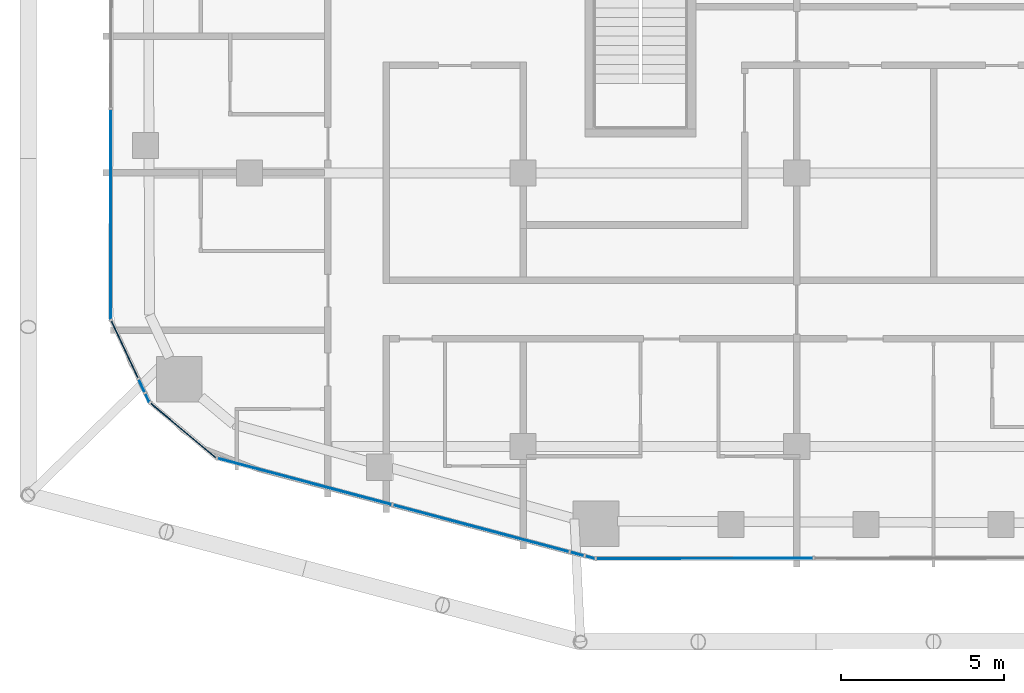
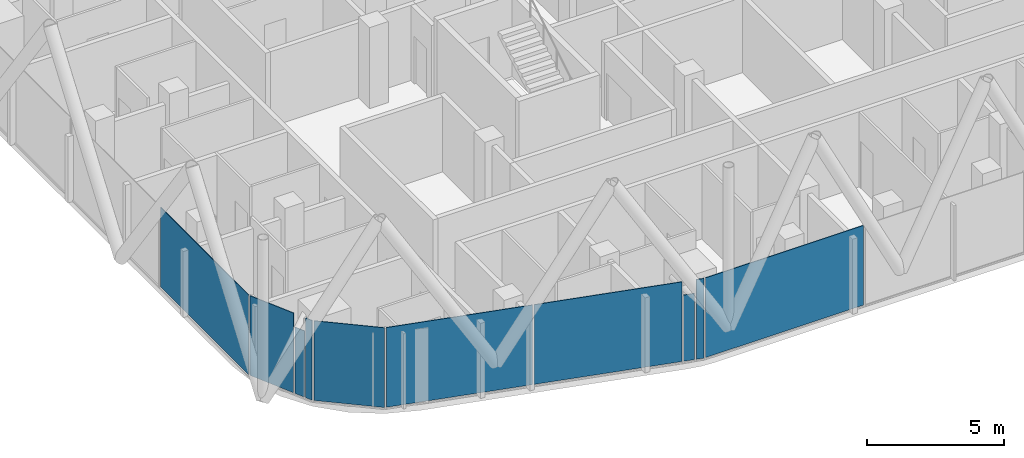
# One storey, part 14 of 28: 10 plates, 9 elements without a shape of their own.
"""IFC4 building model written with IfcOpenShell, lengths in metres."""

from ifc_helpers import new_model, si_unit, direction, frame, origin, origin_2d, place, context, subcontext, project, spatial, rectangle, extrude, material, layer, layer_set, type_object, element, aggregate, save


model = new_model("IFC4")

# Units and contexts
model_context = context("Model", 3, precision=1e-05, world=origin(), true_north=direction((0.0, 1.0)))
body_context = subcontext(model_context, "Body", "Model", "MODEL_VIEW")
ifc_project = project(units=[si_unit("LENGTHUNIT", "METRE"), si_unit("AREAUNIT", "SQUARE_METRE"), si_unit("VOLUMEUNIT", "CUBIC_METRE"), si_unit("PLANEANGLEUNIT", "RADIAN"), si_unit("MASSUNIT", "GRAM", prefix="KILO")], contexts=[model_context])

# Site, building, storey
site_placement = place(None, origin())
site = spatial("IfcSite", under=ifc_project, at=site_placement, CompositionType="ELEMENT")
building_placement = place(site_placement, origin())
building = spatial("IfcBuilding", under=site, at=building_placement, Name="Marenta Gate Hotel Tower", CompositionType="ELEMENT")
storey_placement = place(building_placement, frame((0.0, 0.0, 227.300048828125)))
storey = spatial("IfcBuildingStorey", under=building, at=storey_placement, Name="L53", CompositionType="ELEMENT", Elevation=227.300048828125)

# Curtain wall, plate
ifc_material_1 = material(Name="Tinted insulated glass in bronze anodised frame", Category="glass")
ifc_layer_1 = layer(ifc_material_1, 0.1201171875)
ifc_layer_set_1 = layer_set([ifc_layer_1], Name="Tinted insulated glass in bronze anodised frame")
curtain_wall_type = type_object("IfcCurtainWallType", Name="Tower unitised curtain wall CW1", PredefinedType="NOTDEFINED", material=ifc_layer_set_1)
curtain_wall_1_placement = place(storey_placement, origin())
curtain_wall_1 = element("IfcCurtainWall", 1, at=curtain_wall_1_placement, inside=storey, type_object=curtain_wall_type, Name="CW1 run G04", PredefinedType="NOTDEFINED")
ifc_material_2 = material(Name="Tinted insulated glass", Category="glass")
ifc_layer_2 = layer(ifc_material_2, 0.028076171875)
ifc_layer_set_2 = layer_set([ifc_layer_2], Name="Tinted insulated glass")
plate_type = type_object("IfcPlateType", Name="Glass panel CW1 28 mm tinted insulated unit", PredefinedType="CURTAIN_PANEL", material=ifc_layer_set_2)
plate_1_placement = place(storey_placement, frame((-25.26806640625, -18.078857421875, 0.059814453125), z_axis=(0.0, 0.0, 1.0), x_axis=(-0.001566045546, -0.99999877375, 0.0)))
plate_1 = element("IfcPlate", 2, at=plate_1_placement, type_object=plate_type, Name="CW1 panel 6.1", PredefinedType="CURTAIN_PANEL", context=body_context, shape_type="SweptSolid", body=[
    extrude(rectangle(XDim=6.429931640625, YDim=0.028076171875, at=origin_2d()), origin(), (0.0, 0.0, 1.0), 3.5400390625),
])
aggregate(curtain_wall_1, [plate_1])

curtain_wall_2_placement = place(storey_placement, origin())
curtain_wall_2 = element("IfcCurtainWall", 3, at=curtain_wall_2_placement, inside=storey, type_object=curtain_wall_type, Name="CW1 run G05", PredefinedType="NOTDEFINED")
plate_2_placement = place(storey_placement, frame((-24.839599609375, -22.221435546875, 0.059814453125), z_axis=(0.0, 0.0, 1.0), x_axis=(0.423331565466, -0.905974826185, 0.0)))
plate_2 = element("IfcPlate", 4, at=plate_2_placement, type_object=plate_type, Name="CW1 panel 1.1", PredefinedType="CURTAIN_PANEL", context=body_context, shape_type="SweptSolid", body=[
    extrude(rectangle(XDim=1.927734375, YDim=0.028076171875, at=origin_2d()), origin(), (0.0, 0.0, 1.0), 3.5400390625),
])
aggregate(curtain_wall_2, [plate_2])

curtain_wall_3_placement = place(storey_placement, origin())
curtain_wall_3 = element("IfcCurtainWall", 5, at=curtain_wall_3_placement, inside=storey, type_object=curtain_wall_type, Name="CW1 run G06", PredefinedType="NOTDEFINED")
plate_3_placement = place(storey_placement, frame((-24.317138671875, -23.33935546875, 0.06005859375), z_axis=(0.0, 0.0, 1.0), x_axis=(0.423387289241, -0.905948786251, 0.0)))
plate_3 = element("IfcPlate", 6, at=plate_3_placement, type_object=plate_type, Name="CW1 panel 1.1", PredefinedType="CURTAIN_PANEL", context=body_context, shape_type="SweptSolid", body=[
    extrude(rectangle(XDim=0.419921875, YDim=0.028076171875, at=origin_2d()), origin(), (0.0, 0.0, 1.0), 2.9404296875),
])
aggregate(curtain_wall_3, [plate_3])

curtain_wall_4_placement = place(storey_placement, origin())
curtain_wall_4 = element("IfcCurtainWall", 7, at=curtain_wall_4_placement, inside=storey, type_object=curtain_wall_type, Name="CW1 run G07", PredefinedType="NOTDEFINED")
plate_4_placement = place(storey_placement, frame((-24.142822265625, -23.71240234375, 0.059814453125), z_axis=(0.0, 0.0, 1.0), x_axis=(0.423299800084, -0.905989668401, 0.0)))
plate_4 = element("IfcPlate", 8, at=plate_4_placement, type_object=plate_type, Name="CW1 panel 1.1", PredefinedType="CURTAIN_PANEL", context=body_context, shape_type="SweptSolid", body=[
    extrude(rectangle(XDim=0.283447265625, YDim=0.028076171875, at=origin_2d()), origin(), (0.0, 0.0, 1.0), 3.5400390625),
])
aggregate(curtain_wall_4, [plate_4])

curtain_wall_5_placement = place(storey_placement, origin())
curtain_wall_5 = element("IfcCurtainWall", 9, at=curtain_wall_5_placement, inside=storey, type_object=curtain_wall_type, Name="CW1 run G08", PredefinedType="NOTDEFINED")
plate_5_placement = place(storey_placement, frame((-23.0361328125, -24.716064453125, 0.059814453125), z_axis=(0.0, 0.0, 1.0), x_axis=(0.767102345594, -0.641524739495, 0.0)))
plate_5 = element("IfcPlate", 10, at=plate_5_placement, type_object=plate_type, Name="CW1 panel 1.1", PredefinedType="CURTAIN_PANEL", context=body_context, shape_type="SweptSolid", body=[
    extrude(rectangle(XDim=2.609375, YDim=0.028076171875, at=origin_2d()), origin(), (0.0, 0.0, 1.0), 3.5400390625),
])
aggregate(curtain_wall_5, [plate_5])

# Curtain wall, plates
curtain_wall_6_placement = place(storey_placement, origin())
curtain_wall_6 = element("IfcCurtainWall", 11, at=curtain_wall_6_placement, inside=storey, type_object=curtain_wall_type, Name="CW1 run G09", PredefinedType="NOTDEFINED")
plate_6_placement = place(storey_placement, frame((-19.31298828125, -26.27734375, 0.059814453125), z_axis=(0.0, 0.0, 1.0), x_axis=(0.966376360931, -0.257131734785, 0.0)))
plate_6 = element("IfcPlate", 12, at=plate_6_placement, type_object=plate_type, Name="CW1 panel 1.1", PredefinedType="CURTAIN_PANEL", context=body_context, shape_type="SweptSolid", body=[
    extrude(rectangle(XDim=5.51416015625, YDim=0.028076171875, at=origin_2d()), origin(), (0.0, 0.0, 1.0), 3.5400390625),
])
plate_7_placement = place(storey_placement, frame((-13.897216796875, -27.718505859375, 0.059814453125), z_axis=(0.0, 0.0, 1.0), x_axis=(0.966376360931, -0.257131734785, 0.0)))
plate_7 = element("IfcPlate", 13, at=plate_7_placement, type_object=plate_type, Name="CW1 panel 2.1", PredefinedType="CURTAIN_PANEL", context=body_context, shape_type="SweptSolid", body=[
    extrude(rectangle(XDim=5.57421875, YDim=0.028076171875, at=origin_2d()), origin(), (0.0, 0.0, 1.0), 3.5400390625),
])
aggregate(curtain_wall_6, [plate_6, plate_7])

# Curtain wall, plate
curtain_wall_7_placement = place(storey_placement, origin())
curtain_wall_7 = element("IfcCurtainWall", 14, at=curtain_wall_7_placement, inside=storey, type_object=curtain_wall_type, Name="CW1 run G10", PredefinedType="NOTDEFINED")
plate_8_placement = place(storey_placement, frame((-10.945068359375, -28.50390625, 0.06005859375), z_axis=(0.0, 0.0, 1.0), x_axis=(0.966384808868, -0.257099982864, 0.0)))
plate_8 = element("IfcPlate", 15, at=plate_8_placement, type_object=plate_type, Name="CW1 panel 1.1", PredefinedType="CURTAIN_PANEL", context=body_context, shape_type="SweptSolid", body=[
    extrude(rectangle(XDim=0.415771484375, YDim=0.028076171875, at=origin_2d()), origin(), (0.0, 0.0, 1.0), 2.9404296875),
])
aggregate(curtain_wall_7, [plate_8])

curtain_wall_8_placement = place(storey_placement, origin())
curtain_wall_8 = element("IfcCurtainWall", 16, at=curtain_wall_8_placement, inside=storey, type_object=curtain_wall_type, Name="CW1 run G11", PredefinedType="NOTDEFINED")
plate_9_placement = place(storey_placement, frame((-10.546142578125, -28.610107421875, 0.059814453125), z_axis=(0.0, 0.0, 1.0), x_axis=(0.966296560535, -0.257431460974, 0.0)))
plate_9 = element("IfcPlate", 17, at=plate_9_placement, type_object=plate_type, Name="CW1 panel 1.1", PredefinedType="CURTAIN_PANEL", context=body_context, shape_type="SweptSolid", body=[
    extrude(rectangle(XDim=0.2900390625, YDim=0.028076171875, at=origin_2d()), origin(), (0.0, 0.0, 1.0), 3.5400390625),
])
aggregate(curtain_wall_8, [plate_9])

curtain_wall_9_placement = place(storey_placement, origin())
curtain_wall_9 = element("IfcCurtainWall", 18, at=curtain_wall_9_placement, inside=storey, type_object=curtain_wall_type, Name="CW1 run G12", PredefinedType="NOTDEFINED")
plate_10_placement = place(storey_placement, frame((-7.024169921875, -28.641845703125, 0.059814453125), z_axis=(0.0, 0.0, 1.0), x_axis=(0.999998649471, 0.001643488917, 0.0)))
plate_10 = element("IfcPlate", 19, at=plate_10_placement, type_object=plate_type, Name="CW1 panel 1.1", PredefinedType="CURTAIN_PANEL", context=body_context, shape_type="SweptSolid", body=[
    extrude(rectangle(XDim=6.6435546875, YDim=0.028076171875, at=origin_2d()), origin(), (0.0, 0.0, 1.0), 3.5400390625),
])
aggregate(curtain_wall_9, [plate_10])

save(model, "model.ifc")
